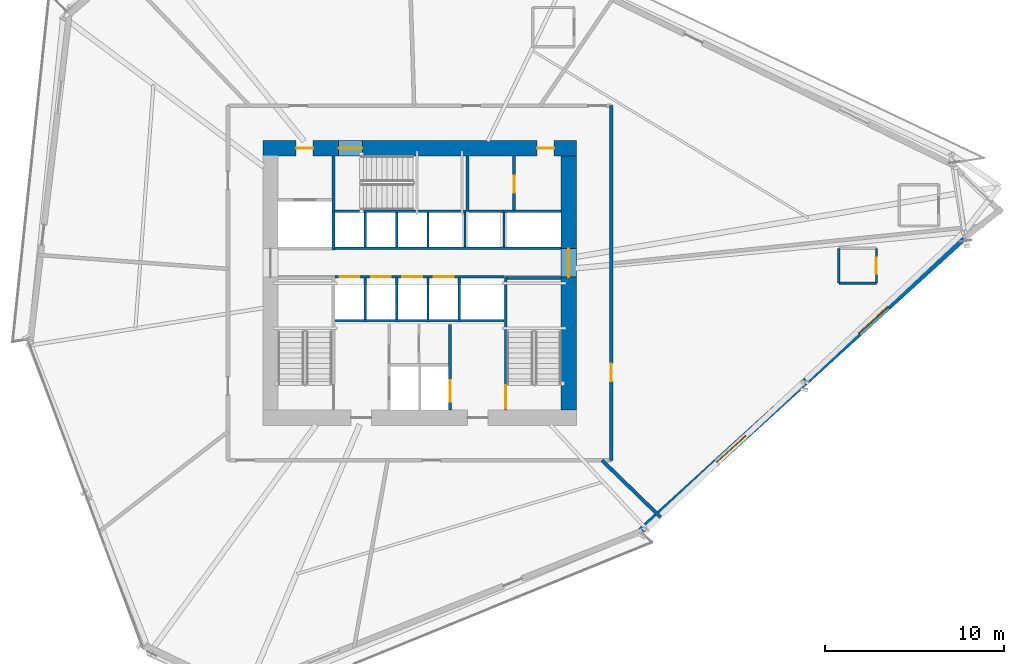
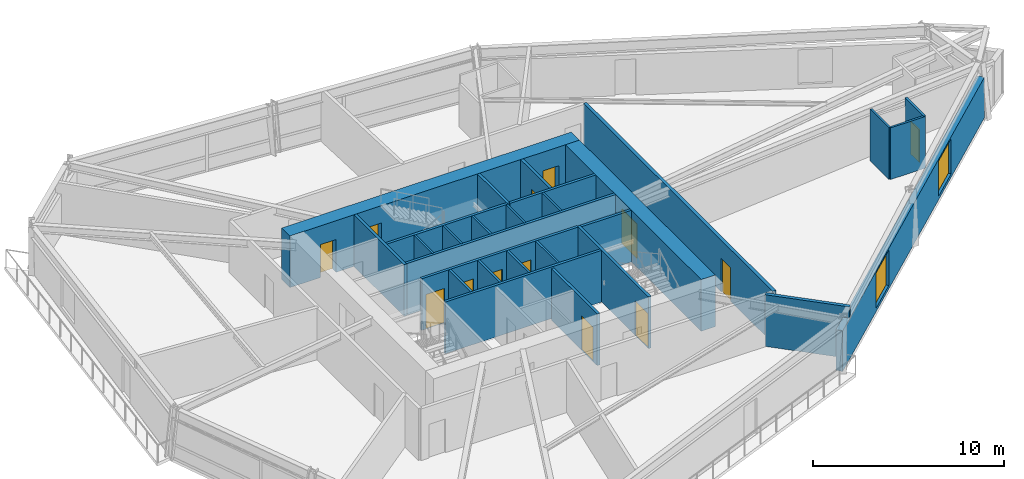
# One storey, part 16 of 21: 28 walls, 13 doors, 2 windows, 15 openings.
"""IFC4 building model written with IfcOpenShell, lengths in metres."""

from ifc_helpers import new_model, si_unit, direction, frame, frame_2d, origin, place, context, subcontext, project, spatial, rectangle, extrude, source, transform, mapped, material, layer, layer_set, type_object, type_shapes, element, fill, save


model = new_model("IFC4")

# Units and contexts
model_context = context("Model", 3, precision=1e-05, world=origin(), true_north=direction((0.0, 1.0)))
body_context = subcontext(model_context, "Body", "Model", "MODEL_VIEW")
ifc_project = project(units=[si_unit("LENGTHUNIT", "METRE"), si_unit("AREAUNIT", "SQUARE_METRE"), si_unit("VOLUMEUNIT", "CUBIC_METRE"), si_unit("PLANEANGLEUNIT", "RADIAN"), si_unit("MASSUNIT", "GRAM", prefix="KILO")], contexts=[model_context])

# Site, building, storey
site_placement = place(None, origin())
site = spatial("IfcSite", under=ifc_project, at=site_placement, CompositionType="ELEMENT")
building_placement = place(site_placement, origin())
building = spatial("IfcBuilding", under=site, at=building_placement, Name="Olszyna Solenne Hotel", CompositionType="ELEMENT")
storey_placement = place(building_placement, frame((0.0, 0.0, 68.35009765625)))
storey = spatial("IfcBuildingStorey", under=building, at=storey_placement, Name="L17", CompositionType="ELEMENT", Elevation=68.35009765625)

# Wall, openings, doors
ifc_material_1 = material(Name="Concrete C60/75", Category="concrete")
ifc_layer_1 = layer(ifc_material_1, 0.85009765625, Name="Concrete C60/75")
ifc_layer_set_1 = layer_set([ifc_layer_1], Name="Concrete C60/75")
wall_type_1 = type_object("IfcWallType", Name="WL-CR850", PredefinedType="SHEAR", material=ifc_layer_set_1)
wall_1_placement = place(storey_placement, frame((29.25, 34.125, 0.0), z_axis=(0.0, 0.0, 1.0), x_axis=(1.0, 0.0, 0.0)))
wall_1 = element("IfcWall", 1, at=wall_1_placement, inside=storey, type_object=wall_type_1, Name="Core shear wall WL-CR850 CRW-L17-N", PredefinedType="SHEAR", context=body_context, shape_type="SweptSolid", body=[
    extrude(rectangle(XDim=17.5, YDim=0.85009765625, at=frame_2d((8.75, 0.0))), origin(), (0.0, 0.0, 1.0), 3.2998046875),
])
opening_1_placement = place(wall_1_placement, frame((1.85009765625, 0.0, 0.0)))
opening_1 = element("IfcOpeningElement", 2, at=opening_1_placement, cuts=wall_1, Name="Opening SVD-L17-01", PredefinedType="OPENING", context=body_context, shape_type="SweptSolid", body=[
    extrude(rectangle(XDim=0.949951171875, YDim=2.10009765625, at=frame_2d((0.47509765625, 1.050048828125))), frame((0.0, 0.43505859375, 0.0), z_axis=(0.0, -1.0, 0.0), x_axis=(1.0, 0.0, 0.0)), (0.0, 0.0, 1.0), 0.8701171875),
])
opening_2_placement = place(wall_1_placement, frame((4.22998046875, 0.0, 0.0)))
opening_2 = element("IfcOpeningElement", 3, at=opening_2_placement, cuts=wall_1, Name="Opening STD-L17-03", PredefinedType="OPENING", context=body_context, shape_type="SweptSolid", body=[
    extrude(rectangle(XDim=1.320068359375, YDim=2.199951171875, at=frame_2d((0.66015625, 1.10009765625))), frame((0.0, 0.43505859375, 0.0), z_axis=(0.0, -1.0, 0.0), x_axis=(1.0, 0.0, 0.0)), (0.0, 0.0, 1.0), 0.8701171875),
])
opening_3_placement = place(wall_1_placement, frame((15.300048828125, 0.0, 0.0)))
opening_3 = element("IfcOpeningElement", 4, at=opening_3_placement, cuts=wall_1, Name="Opening SVD-L17-BN", PredefinedType="OPENING", context=body_context, shape_type="SweptSolid", body=[
    extrude(rectangle(XDim=0.949951171875, YDim=2.10009765625, at=frame_2d((0.47509765625, 1.050048828125))), frame((0.0, 0.43505859375, 0.0), z_axis=(0.0, -1.0, 0.0), x_axis=(1.0, 0.0, 0.0)), (0.0, 0.0, 1.0), 0.8701171875),
])
ifc_material_2 = material(Name="Steel S355J2", Category="steel")
door_type_1 = type_object("IfcDoorType", Name="DR-ST1", OperationType="NOTDEFINED", PredefinedType="DOOR", material=ifc_material_2)
shared_shape_1 = source(origin(), body_context, "Body", "SweptSolid", [
    extrude(rectangle(XDim=1.320068359375, YDim=2.199951171875, at=frame_2d((0.66015625, 1.10009765625))), frame((0.0, 0.02490234375, 0.0), z_axis=(0.0, -1.0, 0.0), x_axis=(1.0, 0.0, 0.0)), (0.0, 0.0, 1.0), 0.050048828125),
])
type_shapes(door_type_1, [shared_shape_1])
door_1_placement = place(opening_2_placement, origin())
door_1 = element("IfcDoor", 5, at=door_1_placement, inside=storey, type_object=door_type_1, Name="Pressurised exit stair ST3 fire door STD-L17-03", OperationType="SINGLE_SWING_RIGHT", OverallHeight=2.199951171875, OverallWidth=1.320068359375, PredefinedType="DOOR", context=body_context, shape_type="MappedRepresentation", body=[
    mapped(shared_shape_1, transform((0.0, 0.0, 0.0), x_axis=(1.0, 0.0, 0.0), y_axis=(0.0, 1.0, 0.0), z_axis=(0.0, 0.0, 1.0), scale=1.0)),
])
fill(opening_2, door_1)
door_type_2 = type_object("IfcDoorType", Name="DR-SV1", OperationType="NOTDEFINED", PredefinedType="DOOR", material=ifc_material_2)
shared_shape_2 = source(origin(), body_context, "Body", "SweptSolid", [
    extrude(rectangle(XDim=0.949951171875, YDim=2.10009765625, at=frame_2d((0.47509765625, 1.050048828125))), frame((0.0, 0.02490234375, 0.0), z_axis=(0.0, -1.0, 0.0), x_axis=(1.0, 0.0, 0.0)), (0.0, 0.0, 1.0), 0.050048828125),
])
type_shapes(door_type_2, [shared_shape_2])
door_2_placement = place(opening_1_placement, origin())
door_2 = element("IfcDoor", 6, at=door_2_placement, inside=storey, type_object=door_type_2, Name="Service lift lobby fire door SVD-L17-01", OperationType="SINGLE_SWING_LEFT", OverallHeight=2.10009765625, OverallWidth=0.949951171875, PredefinedType="DOOR", context=body_context, shape_type="MappedRepresentation", body=[
    mapped(shared_shape_2, transform((0.0, 0.0, 0.0), x_axis=(1.0, 0.0, 0.0), y_axis=(0.0, 1.0, 0.0), z_axis=(0.0, 0.0, 1.0), scale=1.0)),
])
fill(opening_1, door_2)
door_3_placement = place(opening_3_placement, origin())
door_3 = element("IfcDoor", 7, at=door_3_placement, inside=storey, type_object=door_type_2, Name="Housekeeping core fire door SVD-L17-BN", OperationType="SINGLE_SWING_LEFT", OverallHeight=2.10009765625, OverallWidth=0.949951171875, PredefinedType="DOOR", context=body_context, shape_type="MappedRepresentation", body=[
    mapped(shared_shape_2, transform((0.0, 0.0, 0.0), x_axis=(1.0, 0.0, 0.0), y_axis=(0.0, 1.0, 0.0), z_axis=(0.0, 0.0, 1.0), scale=1.0)),
])
fill(opening_3, door_3)

# Wall, opening, door
wall_2_placement = place(storey_placement, frame((46.324951171875, 33.699951171875, 0.0), z_axis=(0.0, 0.0, 1.0), x_axis=(0.0, -1.0, 0.0)))
wall_2 = element("IfcWall", 8, at=wall_2_placement, inside=storey, type_object=wall_type_1, Name="Core shear wall WL-CR850 CRW-L17-E", PredefinedType="SHEAR", context=body_context, shape_type="SweptSolid", body=[
    extrude(rectangle(XDim=14.199951171875, YDim=0.85009765625, at=frame_2d((7.10009765625, 0.0))), origin(), (0.0, 0.0, 1.0), 3.2998046875),
])
opening_4_placement = place(wall_2_placement, frame((5.179931640625, 0.0, 0.0)))
opening_4 = element("IfcOpeningElement", 9, at=opening_4_placement, cuts=wall_2, Name="Opening LHD-L17-E", PredefinedType="OPENING", context=body_context, shape_type="SweptSolid", body=[
    extrude(rectangle(XDim=1.60009765625, YDim=2.199951171875, at=frame_2d((0.800048828125, 1.10009765625))), frame((0.0, 0.43505859375, 0.0), z_axis=(0.0, -1.0, 0.0), x_axis=(1.0, 0.0, 0.0)), (0.0, 0.0, 1.0), 0.8701171875),
])
ifc_material_3 = material(Name="Timber hardwood", Category="wood")
door_type_3 = type_object("IfcDoorType", Name="DR-CR1", OperationType="DOUBLE_DOOR_SINGLE_SWING", PredefinedType="DOOR", material=ifc_material_3)
shared_shape_3 = source(origin(), body_context, "Body", "SweptSolid", [
    extrude(rectangle(XDim=1.60009765625, YDim=2.199951171875, at=frame_2d((0.800048828125, 1.10009765625))), frame((0.0, 0.02490234375, 0.0), z_axis=(0.0, -1.0, 0.0), x_axis=(1.0, 0.0, 0.0)), (0.0, 0.0, 1.0), 0.050048828125),
])
type_shapes(door_type_3, [shared_shape_3])
door_4_placement = place(opening_4_placement, origin())
door_4 = element("IfcDoor", 10, at=door_4_placement, inside=storey, type_object=door_type_3, Name="Passenger lift lobby East fire door LHD-L17-E", OperationType="DOUBLE_DOOR_SINGLE_SWING", OverallHeight=2.199951171875, OverallWidth=1.60009765625, PredefinedType="DOOR", context=body_context, shape_type="MappedRepresentation", body=[
    mapped(shared_shape_3, transform((0.0, 0.0, 0.0), x_axis=(1.0, 0.0, 0.0), y_axis=(0.0, 1.0, 0.0), z_axis=(0.0, 0.0, 1.0), scale=1.0)),
])
fill(opening_4, door_4)

# Wall, openings, windows
ifc_material_4 = material(Name="Terracotta cladding on precast concrete C45/55", Category="masonry")
ifc_layer_2 = layer(ifc_material_4, 0.3798828125, Name="Terracotta cladding on precast concrete C45/55")
ifc_layer_set_2 = layer_set([ifc_layer_2], Name="Terracotta cladding on precast concrete C45/55")
wall_type_2 = type_object("IfcWallType", Name="WL-EX380", PredefinedType="SOLIDWALL", material=ifc_layer_set_2)
wall_3_placement = place(storey_placement, frame((68.3505859375, 29.105712890625, 0.0), z_axis=(0.0, 0.0, 1.0), x_axis=(-0.740297486448, -0.672279429671, 0.0)))
wall_3 = element("IfcWall", 11, at=wall_3_placement, inside=storey, type_object=wall_type_2, Name="Exterior terracotta-precast frame wall WL-EX380 EW-L17-10", PredefinedType="SOLIDWALL", context=body_context, shape_type="SweptSolid", body=[
    extrude(rectangle(XDim=24.31787109375, YDim=0.3798828125, at=frame_2d((12.158935546875, 0.0))), origin(), (0.0, 0.0, 1.0), 2.591796875),
])
opening_5_placement = place(wall_3_placement, frame((5.708984375, 0.0, 0.221923828125)))
opening_5 = element("IfcOpeningElement", 12, at=opening_5_placement, cuts=wall_3, Name="Opening WN-L17-083", PredefinedType="OPENING", context=body_context, shape_type="SweptSolid", body=[
    extrude(rectangle(XDim=2.199951171875, YDim=2.25, at=frame_2d((1.10009765625, 1.125))), frame((0.0, 0.199951171875, 0.0), z_axis=(0.0, -1.0, 0.0), x_axis=(1.0, 0.0, 0.0)), (0.0, 0.0, 1.0), 0.39990234375),
])
opening_6_placement = place(wall_3_placement, frame((16.408935546875, 0.0, 0.221923828125)))
opening_6 = element("IfcOpeningElement", 13, at=opening_6_placement, cuts=wall_3, Name="Opening WN-L17-084", PredefinedType="OPENING", context=body_context, shape_type="SweptSolid", body=[
    extrude(rectangle(XDim=2.199951171875, YDim=2.25, at=frame_2d((1.10009765625, 1.125))), frame((0.0, 0.199951171875, 0.0), z_axis=(0.0, -1.0, 0.0), x_axis=(1.0, 0.0, 0.0)), (0.0, 0.0, 1.0), 0.39990234375),
])
ifc_material_5 = material(Name="Low-E triple glazing", Category="glass")
window_type = type_object("IfcWindowType", Name="WN-HT2", PartitioningType="SINGLE_PANEL", PredefinedType="WINDOW", material=ifc_material_5)
shared_shape_4 = source(origin(), body_context, "Body", "SweptSolid", [
    extrude(rectangle(XDim=2.199951171875, YDim=2.25, at=frame_2d((1.10009765625, 1.125))), frame((0.0, 0.030029296875, 0.0), z_axis=(0.0, -1.0, 0.0), x_axis=(1.0, 0.0, 0.0)), (0.0, 0.0, 1.0), 0.06005859375),
])
type_shapes(window_type, [shared_shape_4])
window_1_placement = place(opening_5_placement, origin())
window_1 = element("IfcWindow", 14, at=window_1_placement, inside=storey, type_object=window_type, Name="Exterior facade window WN-HT2 WN-L17-083", OverallHeight=2.25, OverallWidth=2.199951171875, PartitioningType="SINGLE_PANEL", PredefinedType="WINDOW", context=body_context, shape_type="MappedRepresentation", body=[
    mapped(shared_shape_4, transform((0.0, 0.0, 0.0), x_axis=(1.0, 0.0, 0.0), y_axis=(0.0, 1.0, 0.0), z_axis=(0.0, 0.0, 1.0), scale=1.0)),
])
fill(opening_5, window_1)
window_2_placement = place(opening_6_placement, origin())
window_2 = element("IfcWindow", 15, at=window_2_placement, inside=storey, type_object=window_type, Name="Exterior facade window WN-HT2 WN-L17-084", OverallHeight=2.25, OverallWidth=2.199951171875, PartitioningType="SINGLE_PANEL", PredefinedType="WINDOW", context=body_context, shape_type="MappedRepresentation", body=[
    mapped(shared_shape_4, transform((0.0, 0.0, 0.0), x_axis=(1.0, 0.0, 0.0), y_axis=(0.0, 1.0, 0.0), z_axis=(0.0, 0.0, 1.0), scale=1.0)),
])
fill(opening_6, window_2)

# Walls
ifc_material_6 = material(Name="Acoustic gypsum partition", Category="gypsum")
ifc_layer_3 = layer(ifc_material_6, 0.125, Name="Acoustic gypsum partition")
ifc_layer_set_3 = layer_set([ifc_layer_3], Name="Acoustic gypsum partition")
wall_type_3 = type_object("IfcWallType", Name="WL-PT125", PredefinedType="PARTITIONING", material=ifc_layer_set_3)
for number, where, z_axis, x_axis, name in (
    (16, (34.965087890625, 24.56005859375, 0.0), (0.0, 0.0, 1.0), (0.0, 1.0, 0.0), "Core shaft compartment wall CW-L17-DIVS349"),
    (17, (36.715087890625, 24.56005859375, 0.0), (0.0, 0.0, 1.0), (0.0, 1.0, 0.0), "Core shaft compartment wall CW-L17-DIVS367"),
    (18, (38.465087890625, 24.56005859375, 0.0), (0.0, 0.0, 1.0), (0.0, 1.0, 0.0), "Core shaft compartment wall CW-L17-DIVS384"),
    (19, (40.215087890625, 24.56005859375, 0.0), (0.0, 0.0, 1.0), (0.0, 1.0, 0.0), "Core shaft compartment wall CW-L17-DIVS402"),
):
    element("IfcWall", number, at=place(storey_placement, frame(where, z_axis=z_axis, x_axis=x_axis)), inside=storey, type_object=wall_type_3, Name=name, PredefinedType="PARTITIONING", context=body_context, shape_type="SweptSolid", body=[
        extrude(rectangle(XDim=2.31005859375, YDim=0.125, at=frame_2d((1.155029296875, 0.0))), origin(), (0.0, 0.0, 1.0), 3.2998046875),
    ])
for number, where, z_axis, x_axis, name in (
    (20, (34.965087890625, 28.60009765625, 0.0), (0.0, 0.0, 1.0), (0.0, 1.0, 0.0), "Core shaft compartment wall CW-L17-DIVN349"),
    (21, (36.715087890625, 28.60009765625, 0.0), (0.0, 0.0, 1.0), (0.0, 1.0, 0.0), "Core shaft compartment wall CW-L17-DIVN367"),
    (22, (38.465087890625, 28.60009765625, 0.0), (0.0, 0.0, 1.0), (0.0, 1.0, 0.0), "Core shaft compartment wall CW-L17-DIVN384"),
    (23, (40.52490234375, 28.60009765625, 0.0), (0.0, 0.0, 1.0), (0.0, 1.0, 0.0), "Core shaft compartment wall CW-L17-DIVEX405"),
    (24, (42.699951171875, 28.60009765625, 0.0), (0.0, 0.0, 1.0), (0.0, 1.0, 0.0), "Core shaft compartment wall CW-L17-DIVEX427"),
):
    element("IfcWall", number, at=place(storey_placement, frame(where, z_axis=z_axis, x_axis=x_axis)), inside=storey, type_object=wall_type_3, Name=name, PredefinedType="PARTITIONING", context=body_context, shape_type="SweptSolid", body=[
        extrude(rectangle(XDim=1.919921875, YDim=0.125, at=frame_2d((0.9599609375, 0.0))), origin(), (0.0, 0.0, 1.0), 3.2998046875),
    ])

# Wall, opening, door
wall_4_placement = place(storey_placement, frame((63.489990234375, 26.5859375, 0.0), z_axis=(0.0, 0.0, 1.0), x_axis=(0.0, 1.0, 0.0)))
wall_4 = element("IfcWall", 25, at=wall_4_placement, inside=storey, type_object=wall_type_3, Name="Interior acoustic partition WL-PT125 PW-L17-0980", PredefinedType="PARTITIONING", context=body_context, shape_type="SweptSolid", body=[
    extrude(rectangle(XDim=1.949951171875, YDim=0.125, at=frame_2d((0.97509765625, 0.0))), origin(), (0.0, 0.0, 1.0), 3.2998046875),
])
opening_7_placement = place(wall_4_placement, frame((0.52490234375, 0.0, 0.0)))
opening_7 = element("IfcOpeningElement", 26, at=opening_7_placement, cuts=wall_4, Name="Opening DR-L17-0222", PredefinedType="OPENING", context=body_context, shape_type="SweptSolid", body=[
    extrude(rectangle(XDim=0.89990234375, YDim=2.10009765625, at=frame_2d((0.449951171875, 1.050048828125))), frame((0.0, 0.072509765625, 0.0), z_axis=(0.0, -1.0, 0.0), x_axis=(1.0, 0.0, 0.0)), (0.0, 0.0, 1.0), 0.14501953125),
])
door_type_4 = type_object("IfcDoorType", Name="DR-WC1", OperationType="NOTDEFINED", PredefinedType="DOOR", material=ifc_material_3)
shared_shape_5 = source(origin(), body_context, "Body", "SweptSolid", [
    extrude(rectangle(XDim=0.89990234375, YDim=2.10009765625, at=frame_2d((0.449951171875, 1.050048828125))), frame((0.0, 0.02490234375, 0.0), z_axis=(0.0, -1.0, 0.0), x_axis=(1.0, 0.0, 0.0)), (0.0, 0.0, 1.0), 0.050048828125),
])
type_shapes(door_type_4, [shared_shape_5])
door_5_placement = place(opening_7_placement, origin())
door_5 = element("IfcDoor", 27, at=door_5_placement, inside=storey, type_object=door_type_4, Name="En-Suite Bathroom Door DR-L17-0222", OperationType="SINGLE_SWING_RIGHT", OverallHeight=2.10009765625, OverallWidth=0.89990234375, PredefinedType="DOOR", context=body_context, shape_type="MappedRepresentation", body=[
    mapped(shared_shape_5, transform((0.0, 0.0, 0.0), x_axis=(1.0, 0.0, 0.0), y_axis=(0.0, 1.0, 0.0), z_axis=(0.0, 0.0, 1.0), scale=1.0)),
])
fill(opening_7, door_5)

# Walls
wall_5_placement = place(storey_placement, frame((61.389892578125, 28.535888671875, 0.0), z_axis=(0.0, 0.0, 1.0), x_axis=(0.0, -1.0, 0.0)))
element("IfcWall", 28, at=wall_5_placement, inside=storey, type_object=wall_type_3, Name="Interior acoustic partition WL-PT125 PW-L17-0982", PredefinedType="PARTITIONING", context=body_context, shape_type="SweptSolid", body=[
    extrude(rectangle(XDim=1.949951171875, YDim=0.125, at=frame_2d((0.97509765625, 0.0))), origin(), (0.0, 0.0, 1.0), 3.2998046875),
])
wall_6_placement = place(storey_placement, frame((61.389892578125, 26.5859375, 0.0), z_axis=(0.0, 0.0, 1.0), x_axis=(1.0, 0.0, 0.0)))
element("IfcWall", 29, at=wall_6_placement, inside=storey, type_object=wall_type_3, Name="Interior acoustic partition WL-PT125 PW-L17-0983", PredefinedType="PARTITIONING", context=body_context, shape_type="SweptSolid", body=[
    extrude(rectangle(XDim=2.10009765625, YDim=0.125, at=frame_2d((1.050048828125, 0.0))), origin(), (0.0, 0.0, 1.0), 3.2998046875),
])

# Wall, opening, door
ifc_layer_4 = layer(ifc_material_6, 0.159912109375, Name="Acoustic gypsum partition")
ifc_layer_set_4 = layer_set([ifc_layer_4], Name="Acoustic gypsum partition")
wall_type_4 = type_object("IfcWallType", Name="WL-PT160", PredefinedType="PARTITIONING", material=ifc_layer_set_4)
wall_7_placement = place(storey_placement, frame((42.800048828125, 26.9599609375, 0.0), z_axis=(0.0, 0.0, 1.0), x_axis=(0.0, -1.0, 0.0)))
wall_7 = element("IfcWall", 30, at=wall_7_placement, inside=storey, type_object=wall_type_4, Name="Core shaft compartment wall CW-L17-ST2W", PredefinedType="PARTITIONING", context=body_context, shape_type="SweptSolid", body=[
    extrude(rectangle(XDim=7.4599609375, YDim=0.159912109375, at=frame_2d((3.72998046875, 0.0))), origin(), (0.0, 0.0, 1.0), 3.2998046875),
])
opening_8_placement = place(wall_7_placement, frame((6.06005859375, 0.0, 0.0)))
opening_8 = element("IfcOpeningElement", 31, at=opening_8_placement, cuts=wall_7, Name="Opening STD-L17-02", PredefinedType="OPENING", context=body_context, shape_type="SweptSolid", body=[
    extrude(rectangle(XDim=1.320068359375, YDim=2.199951171875, at=frame_2d((0.66015625, 1.10009765625))), frame((0.0, 0.08984375, 0.0), z_axis=(0.0, -1.0, 0.0), x_axis=(1.0, 0.0, 0.0)), (0.0, 0.0, 1.0), 0.179931640625),
])
door_6_placement = place(opening_8_placement, origin())
door_6 = element("IfcDoor", 32, at=door_6_placement, inside=storey, type_object=door_type_1, Name="Pressurised exit stair ST2 fire door STD-L17-02", OperationType="SINGLE_SWING_RIGHT", OverallHeight=2.199951171875, OverallWidth=1.320068359375, PredefinedType="DOOR", context=body_context, shape_type="MappedRepresentation", body=[
    mapped(shared_shape_1, transform((0.0, 0.0, 0.0), x_axis=(1.0, 0.0, 0.0), y_axis=(0.0, 1.0, 0.0), z_axis=(0.0, 0.0, 1.0), scale=1.0)),
])
fill(opening_8, door_6)

# Walls
wall_8_placement = place(storey_placement, frame((42.8798828125, 26.8798828125, 0.0), z_axis=(0.0, 0.0, 1.0), x_axis=(1.0, 0.0, 0.0)))
element("IfcWall", 33, at=wall_8_placement, inside=storey, type_object=wall_type_4, Name="Core shaft compartment wall CW-L17-ST2N", PredefinedType="PARTITIONING", context=body_context, shape_type="SweptSolid", body=[
    extrude(rectangle(XDim=3.02001953125, YDim=0.159912109375, at=frame_2d((1.510009765625, 0.0))), origin(), (0.0, 0.0, 1.0), 3.2998046875),
])
wall_9_placement = place(storey_placement, frame((33.280029296875, 30.60009765625, 0.0), z_axis=(0.0, 0.0, 1.0), x_axis=(1.0, 0.0, 0.0)))
element("IfcWall", 34, at=wall_9_placement, inside=storey, type_object=wall_type_4, Name="Core shaft compartment wall CW-L17-ST3S", PredefinedType="PARTITIONING", context=body_context, shape_type="SweptSolid", body=[
    extrude(rectangle(XDim=7.300048828125, YDim=0.159912109375, at=frame_2d((3.64990234375, 0.0))), origin(), (0.0, 0.0, 1.0), 3.2998046875),
])
wall_10_placement = place(storey_placement, frame((40.659912109375, 30.60009765625, 0.0), z_axis=(0.0, 0.0, 1.0), x_axis=(0.0, 1.0, 0.0)))
element("IfcWall", 35, at=wall_10_placement, inside=storey, type_object=wall_type_4, Name="Core shaft compartment wall CW-L17-ST3E", PredefinedType="PARTITIONING", context=body_context, shape_type="SweptSolid", body=[
    extrude(rectangle(XDim=3.099853515625, YDim=0.159912109375, at=frame_2d((1.5498046875, 0.0))), origin(), (0.0, 0.0, 1.0), 3.2998046875),
])

# Wall, opening, door
wall_11_placement = place(storey_placement, frame((39.699951171875, 24.280029296875, 0.0), z_axis=(0.0, 0.0, 1.0), x_axis=(0.0, -1.0, 0.0)))
wall_11 = element("IfcWall", 36, at=wall_11_placement, inside=storey, type_object=wall_type_4, Name="Core shaft compartment wall CW-L17-FF2E", PredefinedType="PARTITIONING", context=body_context, shape_type="SweptSolid", body=[
    extrude(rectangle(XDim=4.780029296875, YDim=0.159912109375, at=frame_2d((2.39013671875, 0.0))), origin(), (0.0, 0.0, 1.0), 3.2998046875),
])
opening_9_placement = place(wall_11_placement, frame((3.1201171875, 0.0, 0.0)))
opening_9 = element("IfcOpeningElement", 37, at=opening_9_placement, cuts=wall_11, Name="Opening LD-L17-FF2", PredefinedType="OPENING", context=body_context, shape_type="SweptSolid", body=[
    extrude(rectangle(XDim=1.199951171875, YDim=2.199951171875, at=frame_2d((0.60009765625, 1.10009765625))), frame((0.0, 0.08984375, 0.0), z_axis=(0.0, -1.0, 0.0), x_axis=(1.0, 0.0, 0.0)), (0.0, 0.0, 1.0), 0.179931640625),
])
door_type_5 = type_object("IfcDoorType", Name="LD-FF1", OperationType="DOUBLE_DOOR_SLIDING", PredefinedType="DOOR", material=ifc_material_2)
shared_shape_6 = source(origin(), body_context, "Body", "SweptSolid", [
    extrude(rectangle(XDim=1.199951171875, YDim=2.199951171875, at=frame_2d((0.60009765625, 1.10009765625))), frame((0.0, 0.02490234375, 0.0), z_axis=(0.0, -1.0, 0.0), x_axis=(1.0, 0.0, 0.0)), (0.0, 0.0, 1.0), 0.050048828125),
])
type_shapes(door_type_5, [shared_shape_6])
door_7_placement = place(opening_9_placement, origin())
door_7 = element("IfcDoor", 38, at=door_7_placement, inside=storey, type_object=door_type_5, Name="Firefighters lift FF2 sliding landing door LD-L17-FF2", OperationType="DOUBLE_DOOR_SLIDING", OverallHeight=2.199951171875, OverallWidth=1.199951171875, PredefinedType="DOOR", context=body_context, shape_type="MappedRepresentation", body=[
    mapped(shared_shape_6, transform((0.0, 0.0, 0.0), x_axis=(1.0, 0.0, 0.0), y_axis=(0.0, 1.0, 0.0), z_axis=(0.0, 0.0, 1.0), scale=1.0)),
])
fill(opening_9, door_7)

# Walls
wall_12_placement = place(storey_placement, frame((33.280029296875, 24.489990234375, 0.0), z_axis=(0.0, 0.0, 1.0), x_axis=(1.0, 0.0, 0.0)))
element("IfcWall", 39, at=wall_12_placement, inside=storey, type_object=wall_type_4, Name="Core shaft compartment wall CW-L17-FFBN", PredefinedType="PARTITIONING", context=body_context, shape_type="SweptSolid", body=[
    extrude(rectangle(XDim=9.43994140625, YDim=0.159912109375, at=frame_2d((4.719970703125, 0.0))), origin(), (0.0, 0.0, 1.0), 3.2998046875),
])
wall_13_placement = place(storey_placement, frame((33.199951171875, 28.43994140625, 0.0), z_axis=(0.0, 0.0, 1.0), x_axis=(0.0, 1.0, 0.0)))
element("IfcWall", 40, at=wall_13_placement, inside=storey, type_object=wall_type_4, Name="Core shaft compartment wall CW-L17-SV1E", PredefinedType="PARTITIONING", context=body_context, shape_type="SweptSolid", body=[
    extrude(rectangle(XDim=5.260009765625, YDim=0.159912109375, at=frame_2d((2.6298828125, 0.0))), origin(), (0.0, 0.0, 1.0), 3.2998046875),
])

# Wall, openings, doors
wall_14_placement = place(storey_placement, frame((33.280029296875, 26.949951171875, 0.0), z_axis=(0.0, 0.0, 1.0), x_axis=(1.0, 0.0, 0.0)))
wall_14 = element("IfcWall", 41, at=wall_14_placement, inside=storey, type_object=wall_type_4, Name="Core shaft compartment wall CW-L17-LRS", PredefinedType="PARTITIONING", context=body_context, shape_type="SweptSolid", body=[
    extrude(rectangle(XDim=9.43994140625, YDim=0.159912109375, at=frame_2d((4.719970703125, 0.0))), origin(), (0.0, 0.0, 1.0), 3.2998046875),
])
opening_10_placement = place(wall_14_placement, frame((0.260009765625, 0.0, 0.0)))
opening_10 = element("IfcOpeningElement", 42, at=opening_10_placement, cuts=wall_14, Name="Opening LD-L17-PL1", PredefinedType="OPENING", context=body_context, shape_type="SweptSolid", body=[
    extrude(rectangle(XDim=1.10009765625, YDim=2.199951171875, at=frame_2d((0.550048828125, 1.10009765625))), frame((0.0, 0.08984375, 0.0), z_axis=(0.0, -1.0, 0.0), x_axis=(1.0, 0.0, 0.0)), (0.0, 0.0, 1.0), 0.179931640625),
])
opening_11_placement = place(wall_14_placement, frame((2.010009765625, 0.0, 0.0)))
opening_11 = element("IfcOpeningElement", 43, at=opening_11_placement, cuts=wall_14, Name="Opening LD-L17-PL2", PredefinedType="OPENING", context=body_context, shape_type="SweptSolid", body=[
    extrude(rectangle(XDim=1.10009765625, YDim=2.199951171875, at=frame_2d((0.550048828125, 1.10009765625))), frame((0.0, 0.08984375, 0.0), z_axis=(0.0, -1.0, 0.0), x_axis=(1.0, 0.0, 0.0)), (0.0, 0.0, 1.0), 0.179931640625),
])
opening_12_placement = place(wall_14_placement, frame((3.760009765625, 0.0, 0.0)))
opening_12 = element("IfcOpeningElement", 44, at=opening_12_placement, cuts=wall_14, Name="Opening LD-L17-PL3", PredefinedType="OPENING", context=body_context, shape_type="SweptSolid", body=[
    extrude(rectangle(XDim=1.10009765625, YDim=2.199951171875, at=frame_2d((0.550048828125, 1.10009765625))), frame((0.0, 0.08984375, 0.0), z_axis=(0.0, -1.0, 0.0), x_axis=(1.0, 0.0, 0.0)), (0.0, 0.0, 1.0), 0.179931640625),
])
opening_13_placement = place(wall_14_placement, frame((5.510009765625, 0.0, 0.0)))
opening_13 = element("IfcOpeningElement", 45, at=opening_13_placement, cuts=wall_14, Name="Opening LD-L17-PL4", PredefinedType="OPENING", context=body_context, shape_type="SweptSolid", body=[
    extrude(rectangle(XDim=1.10009765625, YDim=2.199951171875, at=frame_2d((0.550048828125, 1.10009765625))), frame((0.0, 0.08984375, 0.0), z_axis=(0.0, -1.0, 0.0), x_axis=(1.0, 0.0, 0.0)), (0.0, 0.0, 1.0), 0.179931640625),
])
door_type_6 = type_object("IfcDoorType", Name="LD-P1", OperationType="DOUBLE_DOOR_SLIDING", PredefinedType="DOOR", material=ifc_material_2)
shared_shape_7 = source(origin(), body_context, "Body", "SweptSolid", [
    extrude(rectangle(XDim=1.10009765625, YDim=2.199951171875, at=frame_2d((0.550048828125, 1.10009765625))), frame((0.0, 0.02490234375, 0.0), z_axis=(0.0, -1.0, 0.0), x_axis=(1.0, 0.0, 0.0)), (0.0, 0.0, 1.0), 0.050048828125),
])
type_shapes(door_type_6, [shared_shape_7])
door_8_placement = place(opening_10_placement, origin())
door_8 = element("IfcDoor", 46, at=door_8_placement, inside=storey, type_object=door_type_6, Name="Passenger lift PL1 sliding landing door LD-L17-PL1", OperationType="DOUBLE_DOOR_SLIDING", OverallHeight=2.199951171875, OverallWidth=1.10009765625, PredefinedType="DOOR", context=body_context, shape_type="MappedRepresentation", body=[
    mapped(shared_shape_7, transform((0.0, 0.0, 0.0), x_axis=(1.0, 0.0, 0.0), y_axis=(0.0, 1.0, 0.0), z_axis=(0.0, 0.0, 1.0), scale=1.0)),
])
fill(opening_10, door_8)
door_9_placement = place(opening_11_placement, origin())
door_9 = element("IfcDoor", 47, at=door_9_placement, inside=storey, type_object=door_type_6, Name="Passenger lift PL2 sliding landing door LD-L17-PL2", OperationType="DOUBLE_DOOR_SLIDING", OverallHeight=2.199951171875, OverallWidth=1.10009765625, PredefinedType="DOOR", context=body_context, shape_type="MappedRepresentation", body=[
    mapped(shared_shape_7, transform((0.0, 0.0, 0.0), x_axis=(1.0, 0.0, 0.0), y_axis=(0.0, 1.0, 0.0), z_axis=(0.0, 0.0, 1.0), scale=1.0)),
])
fill(opening_11, door_9)
door_10_placement = place(opening_12_placement, origin())
door_10 = element("IfcDoor", 48, at=door_10_placement, inside=storey, type_object=door_type_6, Name="Passenger lift PL3 sliding landing door LD-L17-PL3", OperationType="DOUBLE_DOOR_SLIDING", OverallHeight=2.199951171875, OverallWidth=1.10009765625, PredefinedType="DOOR", context=body_context, shape_type="MappedRepresentation", body=[
    mapped(shared_shape_7, transform((0.0, 0.0, 0.0), x_axis=(1.0, 0.0, 0.0), y_axis=(0.0, 1.0, 0.0), z_axis=(0.0, 0.0, 1.0), scale=1.0)),
])
fill(opening_12, door_10)
door_11_placement = place(opening_13_placement, origin())
door_11 = element("IfcDoor", 49, at=door_11_placement, inside=storey, type_object=door_type_6, Name="Passenger lift PL4 sliding landing door LD-L17-PL4", OperationType="DOUBLE_DOOR_SLIDING", OverallHeight=2.199951171875, OverallWidth=1.10009765625, PredefinedType="DOOR", context=body_context, shape_type="MappedRepresentation", body=[
    mapped(shared_shape_7, transform((0.0, 0.0, 0.0), x_axis=(1.0, 0.0, 0.0), y_axis=(0.0, 1.0, 0.0), z_axis=(0.0, 0.0, 1.0), scale=1.0)),
])
fill(opening_13, door_11)

# Walls
wall_15_placement = place(storey_placement, frame((33.280029296875, 28.5400390625, 0.0), z_axis=(0.0, 0.0, 1.0), x_axis=(1.0, 0.0, 0.0)))
element("IfcWall", 50, at=wall_15_placement, inside=storey, type_object=wall_type_4, Name="Core shaft compartment wall CW-L17-LRN", PredefinedType="PARTITIONING", context=body_context, shape_type="SweptSolid", body=[
    extrude(rectangle(XDim=12.619873046875, YDim=0.159912109375, at=frame_2d((6.31005859375, 0.0))), origin(), (0.0, 0.0, 1.0), 3.2998046875),
])
wall_16_placement = place(storey_placement, frame((40.719970703125, 30.60009765625, 0.0), z_axis=(0.0, 0.0, 1.0), x_axis=(1.0, 0.0, 0.0)))
element("IfcWall", 51, at=wall_16_placement, inside=storey, type_object=wall_type_4, Name="Core shaft compartment wall CW-L17-LRNTOP", PredefinedType="PARTITIONING", context=body_context, shape_type="SweptSolid", body=[
    extrude(rectangle(XDim=5.179931640625, YDim=0.159912109375, at=frame_2d((2.58984375, 0.0))), origin(), (0.0, 0.0, 1.0), 3.2998046875),
])

# Wall, opening, door
wall_17_placement = place(storey_placement, frame((43.27001953125, 30.679931640625, 0.0), z_axis=(0.0, 0.0, 1.0), x_axis=(0.0, 1.0, 0.0)))
wall_17 = element("IfcWall", 52, at=wall_17_placement, inside=storey, type_object=wall_type_4, Name="Core shaft compartment wall CW-L17-BOH1", PredefinedType="PARTITIONING", context=body_context, shape_type="SweptSolid", body=[
    extrude(rectangle(XDim=3.02001953125, YDim=0.159912109375, at=frame_2d((1.510009765625, 0.0))), origin(), (0.0, 0.0, 1.0), 3.2998046875),
])
opening_14_placement = place(wall_17_placement, frame((0.949951171875, 0.0, 0.0)))
opening_14 = element("IfcOpeningElement", 53, at=opening_14_placement, cuts=wall_17, Name="Opening SVD-L17-BI1", PredefinedType="OPENING", context=body_context, shape_type="SweptSolid", body=[
    extrude(rectangle(XDim=0.949951171875, YDim=2.10009765625, at=frame_2d((0.47509765625, 1.050048828125))), frame((0.0, 0.08984375, 0.0), z_axis=(0.0, -1.0, 0.0), x_axis=(1.0, 0.0, 0.0)), (0.0, 0.0, 1.0), 0.179931640625),
])
door_12_placement = place(opening_14_placement, origin())
door_12 = element("IfcDoor", 54, at=door_12_placement, inside=storey, type_object=door_type_2, Name="BOH inter-room fire door SVD-L17-BI1", OperationType="SINGLE_SWING_LEFT", OverallHeight=2.10009765625, OverallWidth=0.949951171875, PredefinedType="DOOR", context=body_context, shape_type="MappedRepresentation", body=[
    mapped(shared_shape_2, transform((0.0, 0.0, 0.0), x_axis=(1.0, 0.0, 0.0), y_axis=(0.0, 1.0, 0.0), z_axis=(0.0, 0.0, 1.0), scale=1.0)),
])
fill(opening_14, door_12)

# Wall
ifc_layer_5 = layer(ifc_material_6, 0.199951171875, Name="Acoustic gypsum partition")
ifc_layer_set_5 = layer_set([ifc_layer_5], Name="Acoustic gypsum partition")
wall_type_5 = type_object("IfcWallType", Name="WL-PT200", PredefinedType="PARTITIONING", material=ifc_layer_set_5)
wall_18_placement = place(storey_placement, frame((48.180419921875, 16.699951171875, 0.0), z_axis=(0.0, 0.0, 1.0), x_axis=(0.716921827567, -0.697153564976, 0.0)))
element("IfcWall", 55, at=wall_18_placement, inside=storey, type_object=wall_type_5, Name="Interior acoustic partition WL-PT200 PW-L17-0977", PredefinedType="PARTITIONING", context=body_context, shape_type="SweptSolid", body=[
    extrude(rectangle(XDim=4.544921875, YDim=0.199951171875, at=frame_2d((2.2724609375, 0.0))), origin(), (0.0, 0.0, 1.0), 3.2998046875),
])

# Wall, opening, door
wall_19_placement = place(storey_placement, frame((48.699951171875, 16.699951171875, 0.0), z_axis=(0.0, 0.0, 1.0), x_axis=(0.0, 1.0, 0.0)))
wall_19 = element("IfcWall", 56, at=wall_19_placement, inside=storey, type_object=wall_type_5, Name="Interior acoustic partition WL-PT200 PW-L17-0995", PredefinedType="PARTITIONING", context=body_context, shape_type="SweptSolid", body=[
    extrude(rectangle(XDim=19.800048828125, YDim=0.199951171875, at=frame_2d((9.89990234375, 0.0))), origin(), (0.0, 0.0, 1.0), 3.2998046875),
])
opening_15_placement = place(wall_19_placement, frame((4.4130859375, 0.0, 0.0)))
opening_15 = element("IfcOpeningElement", 57, at=opening_15_placement, cuts=wall_19, Name="Opening DR-L17-0232", PredefinedType="OPENING", context=body_context, shape_type="SweptSolid", body=[
    extrude(rectangle(XDim=0.97998046875, YDim=2.14990234375, at=frame_2d((0.489990234375, 1.074951171875))), frame((0.0, 0.10986328125, 0.0), z_axis=(0.0, -1.0, 0.0), x_axis=(1.0, 0.0, 0.0)), (0.0, 0.0, 1.0), 0.219970703125),
])
door_type_7 = type_object("IfcDoorType", Name="DR-RM1", OperationType="NOTDEFINED", PredefinedType="DOOR", material=ifc_material_3)
shared_shape_8 = source(origin(), body_context, "Body", "SweptSolid", [
    extrude(rectangle(XDim=0.97998046875, YDim=2.14990234375, at=frame_2d((0.489990234375, 1.074951171875))), frame((0.0, 0.02490234375, 0.0), z_axis=(0.0, -1.0, 0.0), x_axis=(1.0, 0.0, 0.0)), (0.0, 0.0, 1.0), 0.050048828125),
])
type_shapes(door_type_7, [shared_shape_8])
door_13_placement = place(opening_15_placement, origin())
door_13 = element("IfcDoor", 58, at=door_13_placement, inside=storey, type_object=door_type_7, Name="Deluxe Hotel Guestroom Entrance Door DR-L17-0232", OperationType="SINGLE_SWING_LEFT", OverallHeight=2.14990234375, OverallWidth=0.97998046875, PredefinedType="DOOR", context=body_context, shape_type="MappedRepresentation", body=[
    mapped(shared_shape_8, transform((0.0, 0.0, 0.0), x_axis=(1.0, 0.0, 0.0), y_axis=(0.0, 1.0, 0.0), z_axis=(0.0, 0.0, 1.0), scale=1.0)),
])
fill(opening_15, door_13)

save(model, "model.ifc")
